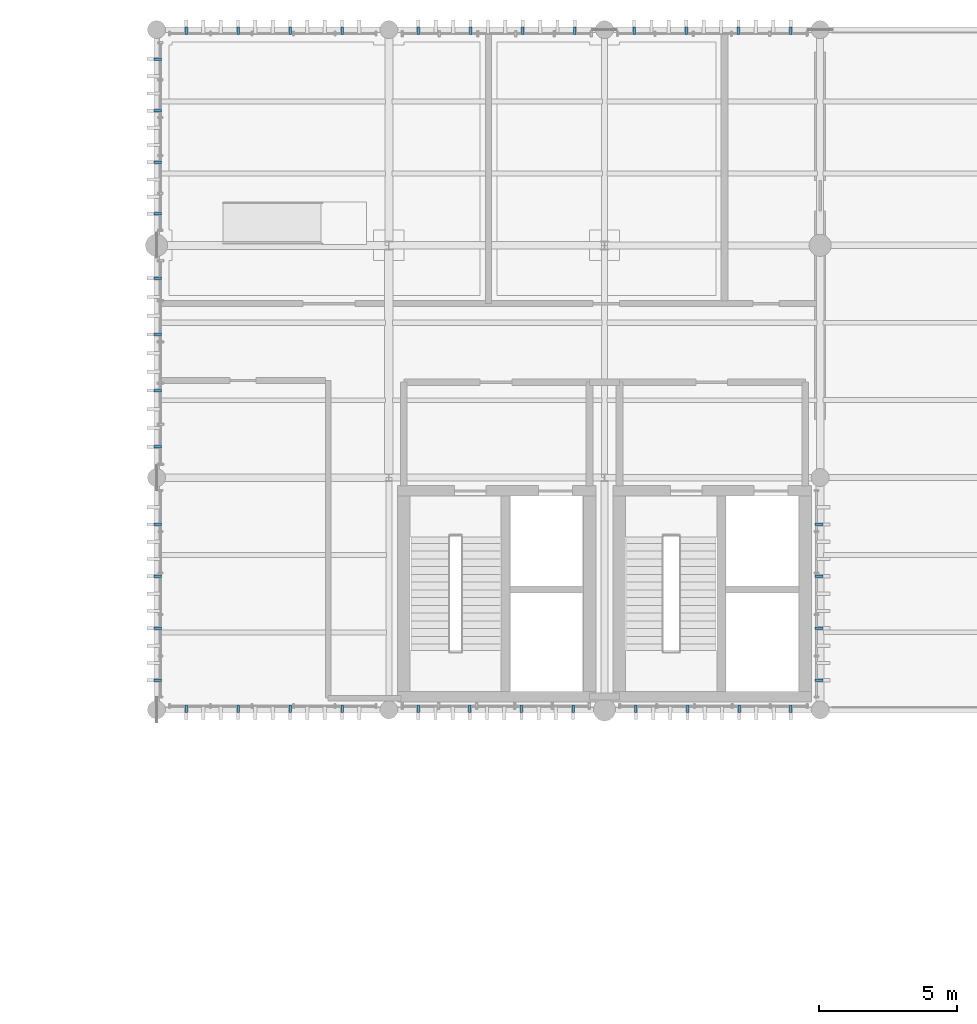
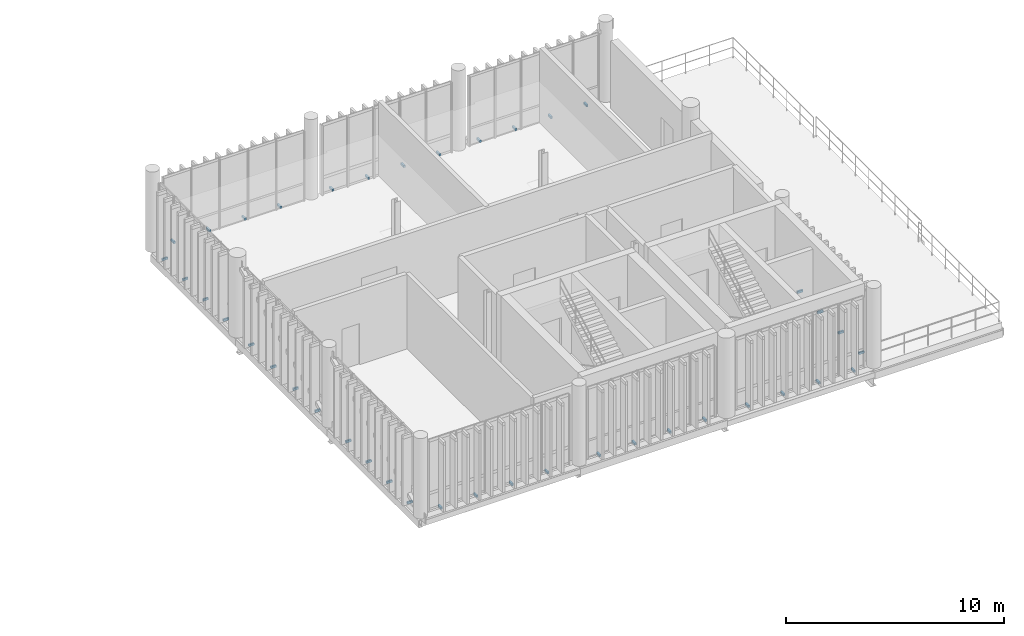
# One storey, part 16 of 19: 40 discrete accessories.
"""IFC4 building model written with IfcOpenShell, lengths in metres."""

from ifc_helpers import new_model, si_unit, direction, frame, origin_with_axes, origin_2d_with_axis, place, context, subcontext, project, spatial, rectangle, extrude, material, type_object, element, save


model = new_model("IFC4")

# Units and contexts
model_context = context("Model", 3, precision=1e-05, world=origin_with_axes(), true_north=direction((0.0, 1.0)))
body_context = subcontext(model_context, "Body", "Model", "MODEL_VIEW")
ifc_project = project(units=[si_unit("LENGTHUNIT", "METRE"), si_unit("AREAUNIT", "SQUARE_METRE"), si_unit("VOLUMEUNIT", "CUBIC_METRE"), si_unit("PLANEANGLEUNIT", "RADIAN"), si_unit("MASSUNIT", "GRAM", prefix="KILO"), si_unit("THERMODYNAMICTEMPERATUREUNIT", "KELVIN")], contexts=[model_context])

# Site, building, storey
site_placement = place(None, origin_with_axes())
site = spatial("IfcSite", under=ifc_project, at=site_placement, CompositionType="ELEMENT")
building_placement = place(site_placement, origin_with_axes())
building = spatial("IfcBuilding", under=site, at=building_placement, Name="Montbau Bow Law Courts", CompositionType="ELEMENT")
storey_placement = place(building_placement, frame((0.0, 0.0, 43.5), z_axis=(0.0, 0.0, 1.0), x_axis=(1.0, 0.0, 0.0)))
storey = spatial("IfcBuildingStorey", under=building, at=storey_placement, Name="L09", CompositionType="ELEMENT", Elevation=43.5)

# Discrete accessories
ifc_material = material(Name="Stainless Steel AISI 316L Outrigger Louvre Bracket", Category="steel")
discrete_accessory_type = type_object("IfcDiscreteAccessoryType", Name="DA-BRK-01", PredefinedType="BRACKET", material=ifc_material)
for number, where, z_axis, x_axis, name in (
    (1, (139.667, 86.44, 43.5), (0.0, 0.0, 1.0), (0.0, -1.0, 0.0), "BRK-L09-1279:brk_1279"),
    (2, (141.547, 86.44, 43.5), (0.0, 0.0, 1.0), (0.0, -1.0, 0.0), "BRK-L09-1280:brk_1280"),
    (3, (143.427, 86.44, 43.5), (0.0, 0.0, 1.0), (0.0, -1.0, 0.0), "BRK-L09-1281:brk_1281"),
    (4, (145.307, 86.44, 43.5), (0.0, 0.0, 1.0), (0.0, -1.0, 0.0), "BRK-L09-1282:brk_1282"),
    (5, (148.062, 86.44, 43.5), (0.0, 0.0, 1.0), (0.0, -1.0, 0.0), "BRK-L09-1283:brk_1283"),
    (6, (149.929, 86.44, 43.5), (0.0, 0.0, 1.0), (0.0, -1.0, 0.0), "BRK-L09-1284:brk_1284"),
    (7, (151.796, 86.44, 43.5), (0.0, 0.0, 1.0), (0.0, -1.0, 0.0), "BRK-L09-1285:brk_1285"),
    (8, (153.663, 86.44, 43.5), (0.0, 0.0, 1.0), (0.0, -1.0, 0.0), "BRK-L09-1286:brk_1286"),
    (9, (155.937, 86.44, 43.5), (0.0, 0.0, 1.0), (0.0, -1.0, 0.0), "BRK-L09-1287:brk_1287"),
    (10, (157.804, 86.44, 43.5), (0.0, 0.0, 1.0), (0.0, -1.0, 0.0), "BRK-L09-1288:brk_1288"),
    (11, (159.671, 86.44, 43.5), (0.0, 0.0, 1.0), (0.0, -1.0, 0.0), "BRK-L09-1289:brk_1289"),
    (12, (161.538, 86.44, 43.5), (0.0, 0.0, 1.0), (0.0, -1.0, 0.0), "BRK-L09-1290:brk_1290"),
    (13, (139.667, 110.96, 43.5), (0.0, 0.0, 1.0), (0.0, 1.0, 0.0), "BRK-L09-1291:brk_1291"),
    (14, (141.547, 110.96, 43.5), (0.0, 0.0, 1.0), (0.0, 1.0, 0.0), "BRK-L09-1292:brk_1292"),
    (15, (143.427, 110.96, 43.5), (0.0, 0.0, 1.0), (0.0, 1.0, 0.0), "BRK-L09-1293:brk_1293"),
    (16, (145.307, 110.96, 43.5), (0.0, 0.0, 1.0), (0.0, 1.0, 0.0), "BRK-L09-1294:brk_1294"),
    (17, (148.069, 110.96, 43.5), (0.0, 0.0, 1.0), (0.0, 1.0, 0.0), "BRK-L09-1295:brk_1295"),
    (18, (149.956, 110.96, 43.5), (0.0, 0.0, 1.0), (0.0, 1.0, 0.0), "BRK-L09-1296:brk_1296"),
    (19, (151.844, 110.96, 43.5), (0.0, 0.0, 1.0), (0.0, 1.0, 0.0), "BRK-L09-1297:brk_1297"),
    (20, (153.731, 110.96, 43.5), (0.0, 0.0, 1.0), (0.0, 1.0, 0.0), "BRK-L09-1298:brk_1298"),
    (21, (155.869, 110.96, 43.5), (0.0, 0.0, 1.0), (0.0, 1.0, 0.0), "BRK-L09-1299:brk_1299"),
    (22, (157.756, 110.96, 43.5), (0.0, 0.0, 1.0), (0.0, 1.0, 0.0), "BRK-L09-1300:brk_1300"),
    (23, (159.644, 110.96, 43.5), (0.0, 0.0, 1.0), (0.0, 1.0, 0.0), "BRK-L09-1301:brk_1301"),
    (24, (161.531, 110.96, 43.5), (0.0, 0.0, 1.0), (0.0, 1.0, 0.0), "BRK-L09-1302:brk_1302"),
    (25, (138.64, 87.467, 43.5), (0.0, 0.0, 1.0), (-1.0, 0.0, 0.0), "BRK-L09-1303:brk_1303"),
    (26, (138.64, 89.347, 43.5), (0.0, 0.0, 1.0), (-1.0, 0.0, 0.0), "BRK-L09-1304:brk_1304"),
    (27, (138.64, 91.227, 43.5), (0.0, 0.0, 1.0), (-1.0, 0.0, 0.0), "BRK-L09-1305:brk_1305"),
    (28, (138.64, 93.107, 43.5), (0.0, 0.0, 1.0), (-1.0, 0.0, 0.0), "BRK-L09-1306:brk_1306"),
    (29, (138.64, 95.917, 43.5), (0.0, 0.0, 1.0), (-1.0, 0.0, 0.0), "BRK-L09-1307:brk_1307"),
    (30, (138.64, 97.947, 43.5), (0.0, 0.0, 1.0), (-1.0, 0.0, 0.0), "BRK-L09-1308:brk_1308"),
    (31, (138.64, 99.978, 43.5), (0.0, 0.0, 1.0), (-1.0, 0.0, 0.0), "BRK-L09-1309:brk_1309"),
    (32, (138.64, 102.008, 43.5), (0.0, 0.0, 1.0), (-1.0, 0.0, 0.0), "BRK-L09-1310:brk_1310"),
    (33, (138.64, 104.337, 43.5), (0.0, 0.0, 1.0), (-1.0, 0.0, 0.0), "BRK-L09-1311:brk_1311"),
    (34, (138.64, 106.204, 43.5), (0.0, 0.0, 1.0), (-1.0, 0.0, 0.0), "BRK-L09-1312:brk_1312"),
    (35, (138.64, 108.071, 43.5), (0.0, 0.0, 1.0), (-1.0, 0.0, 0.0), "BRK-L09-1313:brk_1313"),
    (36, (138.64, 109.938, 43.5), (0.0, 0.0, 1.0), (-1.0, 0.0, 0.0), "BRK-L09-1314:brk_1314"),
    (37, (162.56, 87.467, 43.5), (0.0, 0.0, 1.0), (1.0, 0.0, 0.0), "BRK-L09-1315:brk_1315"),
    (38, (162.56, 89.347, 43.5), (0.0, 0.0, 1.0), (1.0, 0.0, 0.0), "BRK-L09-1316:brk_1316"),
    (39, (162.56, 91.227, 43.5), (0.0, 0.0, 1.0), (1.0, 0.0, 0.0), "BRK-L09-1317:brk_1317"),
    (40, (162.56, 93.107, 43.5), (0.0, 0.0, 1.0), (1.0, 0.0, 0.0), "BRK-L09-1318:brk_1318"),
):
    element("IfcDiscreteAccessory", number, at=place(None, frame(where, z_axis=z_axis, x_axis=x_axis)), inside=storey, type_object=discrete_accessory_type, Name=name, PredefinedType="BRACKET", context=body_context, shape_type="SweptSolid", body=[
        extrude(rectangle(XDim=0.28, YDim=0.09, at=origin_2d_with_axis()), origin_with_axes(), (0.0, 0.0, 1.0), 0.12),
    ])

save(model, "model.ifc")
